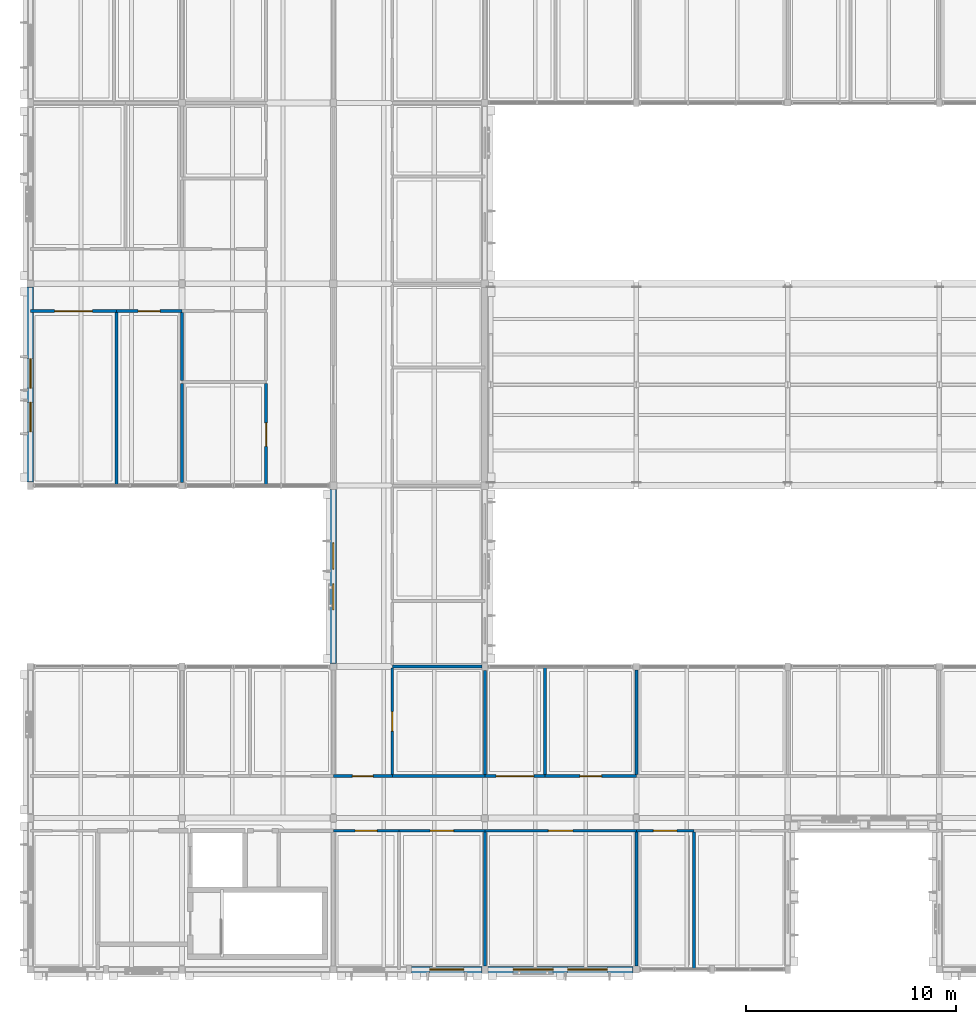
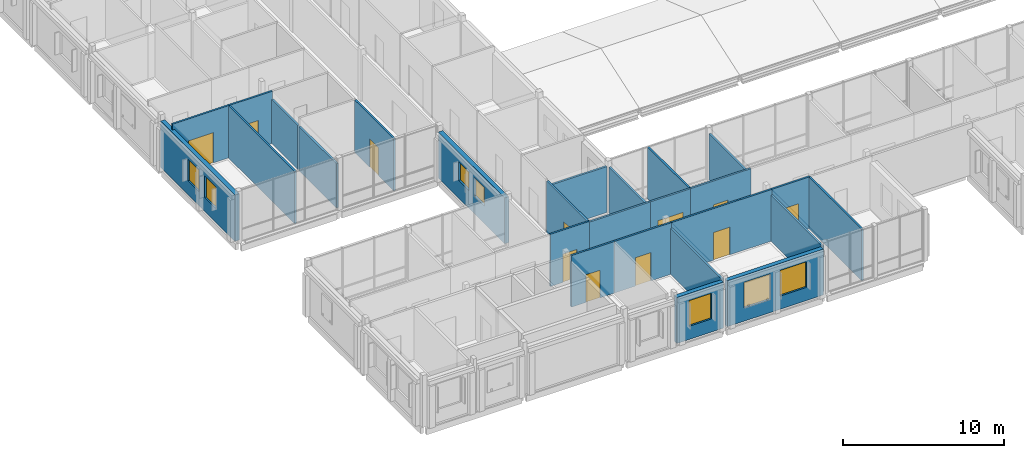
# One storey, part 82 of 115: 26 walls, 11 doors, 7 windows, 18 openings.
"""IFC4 building model written with IfcOpenShell, lengths in metres."""

from ifc_helpers import new_model, si_unit, direction, frame, frame_2d, origin, place, context, subcontext, project, spatial, rectangle, extrude, material, layer, layer_set, type_object, element, fill, save


model = new_model("IFC4")

# Units and contexts
model_context = context("Model", 3, precision=1e-05, world=origin(), true_north=direction((0.0, 1.0)))
body_context = subcontext(model_context, "Body", "Model", "MODEL_VIEW")
ifc_project = project(units=[si_unit("LENGTHUNIT", "METRE"), si_unit("AREAUNIT", "SQUARE_METRE"), si_unit("VOLUMEUNIT", "CUBIC_METRE"), si_unit("PLANEANGLEUNIT", "RADIAN"), si_unit("MASSUNIT", "GRAM", prefix="KILO")], contexts=[model_context])

# Site, building, storey
site_placement = place(None, origin())
site = spatial("IfcSite", under=ifc_project, at=site_placement, CompositionType="ELEMENT")
building_placement = place(site_placement, origin())
building = spatial("IfcBuilding", under=site, at=building_placement, Name="Hawrajan Terrace Health Centre", CompositionType="ELEMENT")
storey_placement = place(building_placement, frame((0.0, 0.0, 9.0)))
storey = spatial("IfcBuildingStorey", under=building, at=storey_placement, Name="L02", CompositionType="ELEMENT", Elevation=9.0)

# Wall, openings, windows
ifc_material_1 = material(Name="Precast concrete C40/50", Category="concrete")
ifc_layer_1 = layer(ifc_material_1, 0.31005859375)
ifc_layer_set_1 = layer_set([ifc_layer_1], Name="Precast concrete C40/50")
wall_type_1 = type_object("IfcWallType", Name="ArtDecoFacadeWall_310", PredefinedType="SOLIDWALL", material=ifc_layer_set_1)
wall_1_placement = place(storey_placement, frame((4.60009765625, 27.3798828125, 0.0), z_axis=(0.0, 0.0, 1.0), x_axis=(0.0, 1.0, 0.0)))
wall_1 = element("IfcWall", 1, at=wall_1_placement, inside=storey, type_object=wall_type_1, Name="Exterior wall EW-L02-V00-03-1", PredefinedType="SOLIDWALL", context=body_context, shape_type="SweptSolid", body=[
    extrude(rectangle(XDim=9.260009765625, YDim=0.31005859375, at=frame_2d((4.6298828125, 0.0))), origin(), (0.0, 0.0, 1.0), 3.530029296875),
])
opening_1_placement = place(wall_1_placement, frame((2.3798828125, 0.0, 1.050048828125)))
opening_1 = element("IfcOpeningElement", 2, at=opening_1_placement, cuts=wall_1, Name="Opening W-L02-115", PredefinedType="OPENING", context=body_context, shape_type="SweptSolid", body=[
    extrude(rectangle(XDim=1.39990234375, YDim=1.64990234375, at=frame_2d((0.699951171875, 0.824951171875))), frame((0.0, 0.1650390625, 0.0), z_axis=(0.0, -1.0, 0.0), x_axis=(1.0, 0.0, 0.0)), (0.0, 0.0, 1.0), 0.330078125),
])
opening_2_placement = place(wall_1_placement, frame((4.4599609375, 0.0, 1.050048828125)))
opening_2 = element("IfcOpeningElement", 3, at=opening_2_placement, cuts=wall_1, Name="Opening W-L02-116", PredefinedType="OPENING", context=body_context, shape_type="SweptSolid", body=[
    extrude(rectangle(XDim=1.39990234375, YDim=1.64990234375, at=frame_2d((0.699951171875, 0.824951171875))), frame((0.0, 0.1650390625, 0.0), z_axis=(0.0, -1.0, 0.0), x_axis=(1.0, 0.0, 0.0)), (0.0, 0.0, 1.0), 0.330078125),
])
ifc_material_2 = material(Name="Anodized bronze frame with double low-E glazing", Category="glass")
window_type_1 = type_object("IfcWindowType", Name="FacadeWindow_1400x1650", PartitioningType="SINGLE_PANEL", PredefinedType="WINDOW", material=ifc_material_2)
window_1_placement = place(opening_1_placement, origin())
window_1 = element("IfcWindow", 4, at=window_1_placement, inside=storey, type_object=window_type_1, Name="Window W-L02-115", OverallHeight=1.64990234375, OverallWidth=1.39990234375, PartitioningType="SINGLE_PANEL", PredefinedType="WINDOW", context=body_context, shape_type="SweptSolid", body=[
    extrude(rectangle(XDim=1.39990234375, YDim=1.64990234375, at=frame_2d((0.699951171875, 0.824951171875))), frame((0.0, 0.030029296875, 0.0), z_axis=(0.0, -1.0, 0.0), x_axis=(1.0, 0.0, 0.0)), (0.0, 0.0, 1.0), 0.06005859375),
])
fill(opening_1, window_1)
window_2_placement = place(opening_2_placement, origin())
window_2 = element("IfcWindow", 5, at=window_2_placement, inside=storey, type_object=window_type_1, Name="Window W-L02-116", OverallHeight=1.64990234375, OverallWidth=1.39990234375, PartitioningType="SINGLE_PANEL", PredefinedType="WINDOW", context=body_context, shape_type="SweptSolid", body=[
    extrude(rectangle(XDim=1.39990234375, YDim=1.64990234375, at=frame_2d((0.699951171875, 0.824951171875))), frame((0.0, 0.030029296875, 0.0), z_axis=(0.0, -1.0, 0.0), x_axis=(1.0, 0.0, 0.0)), (0.0, 0.0, 1.0), 0.06005859375),
])
fill(opening_2, window_2)

# Wall, opening, window
wall_2_placement = place(storey_placement, frame((22.719970703125, 4.199951171875, 0.0), z_axis=(0.0, 0.0, 1.0), x_axis=(1.0, 0.0, 0.0)))
wall_2 = element("IfcWall", 6, at=wall_2_placement, inside=storey, type_object=wall_type_1, Name="Exterior wall EW-L02-H02-00-2", PredefinedType="SOLIDWALL", context=body_context, shape_type="SweptSolid", body=[
    extrude(rectangle(XDim=3.340087890625, YDim=0.31005859375, at=frame_2d((1.669921875, 0.0))), origin(), (0.0, 0.0, 1.0), 3.489990234375),
])
opening_3_placement = place(wall_2_placement, frame((0.860107421875, 0.0, 1.0)))
opening_3 = element("IfcOpeningElement", 7, at=opening_3_placement, cuts=wall_2, Name="Opening W-L02-125", PredefinedType="OPENING", context=body_context, shape_type="SweptSolid", body=[
    extrude(rectangle(XDim=1.6201171875, YDim=1.949951171875, at=frame_2d((0.81005859375, 0.97509765625))), frame((0.0, 0.1650390625, 0.0), z_axis=(0.0, -1.0, 0.0), x_axis=(1.0, 0.0, 0.0)), (0.0, 0.0, 1.0), 0.330078125),
])
window_type_2 = type_object("IfcWindowType", Name="FacadeWindow_1620x1950", PartitioningType="DOUBLE_PANEL_VERTICAL", PredefinedType="WINDOW", material=ifc_material_2)
window_3_placement = place(opening_3_placement, origin())
window_3 = element("IfcWindow", 8, at=window_3_placement, inside=storey, type_object=window_type_2, Name="Window W-L02-125", OverallHeight=1.949951171875, OverallWidth=1.6201171875, PartitioningType="DOUBLE_PANEL_VERTICAL", PredefinedType="WINDOW", context=body_context, shape_type="SweptSolid", body=[
    extrude(rectangle(XDim=1.6201171875, YDim=1.949951171875, at=frame_2d((0.81005859375, 0.97509765625))), frame((0.0, 0.030029296875, 0.0), z_axis=(0.0, -1.0, 0.0), x_axis=(1.0, 0.0, 0.0)), (0.0, 0.0, 1.0), 0.06005859375),
])
fill(opening_3, window_3)

# Wall, openings, windows
wall_3_placement = place(storey_placement, frame((19.0, 18.760009765625, 0.0), z_axis=(0.0, 0.0, 1.0), x_axis=(0.0, 1.0, 0.0)))
wall_3 = element("IfcWall", 9, at=wall_3_placement, inside=storey, type_object=wall_type_1, Name="Exterior wall EW-L02-V02-02-1", PredefinedType="SOLIDWALL", context=body_context, shape_type="SweptSolid", body=[
    extrude(rectangle(XDim=8.260009765625, YDim=0.31005859375, at=frame_2d((4.1298828125, 0.0))), origin(), (0.0, 0.0, 1.0), 3.489990234375),
])
opening_4_placement = place(wall_3_placement, frame((2.5400390625, 0.0, 1.35009765625)))
opening_4 = element("IfcOpeningElement", 10, at=opening_4_placement, cuts=wall_3, Name="Opening W-L02-126", PredefinedType="OPENING", context=body_context, shape_type="SweptSolid", body=[
    extrude(rectangle(XDim=1.25, YDim=1.39990234375, at=frame_2d((0.625, 0.699951171875))), frame((0.0, 0.1650390625, 0.0), z_axis=(0.0, -1.0, 0.0), x_axis=(1.0, 0.0, 0.0)), (0.0, 0.0, 1.0), 0.330078125),
])
opening_5_placement = place(wall_3_placement, frame((4.469970703125, 0.0, 1.35009765625)))
opening_5 = element("IfcOpeningElement", 11, at=opening_5_placement, cuts=wall_3, Name="Opening W-L02-127", PredefinedType="OPENING", context=body_context, shape_type="SweptSolid", body=[
    extrude(rectangle(XDim=1.25, YDim=1.39990234375, at=frame_2d((0.625, 0.699951171875))), frame((0.0, 0.1650390625, 0.0), z_axis=(0.0, -1.0, 0.0), x_axis=(1.0, 0.0, 0.0)), (0.0, 0.0, 1.0), 0.330078125),
])
window_type_3 = type_object("IfcWindowType", Name="FacadeWindow_1250x1400", PartitioningType="SINGLE_PANEL", PredefinedType="WINDOW", material=ifc_material_2)
window_4_placement = place(opening_4_placement, origin())
window_4 = element("IfcWindow", 12, at=window_4_placement, inside=storey, type_object=window_type_3, Name="Window W-L02-126", OverallHeight=1.39990234375, OverallWidth=1.25, PartitioningType="SINGLE_PANEL", PredefinedType="WINDOW", context=body_context, shape_type="SweptSolid", body=[
    extrude(rectangle(XDim=1.25, YDim=1.39990234375, at=frame_2d((0.625, 0.699951171875))), frame((0.0, 0.030029296875, 0.0), z_axis=(0.0, -1.0, 0.0), x_axis=(1.0, 0.0, 0.0)), (0.0, 0.0, 1.0), 0.06005859375),
])
fill(opening_4, window_4)
window_5_placement = place(opening_5_placement, origin())
window_5 = element("IfcWindow", 13, at=window_5_placement, inside=storey, type_object=window_type_3, Name="Window W-L02-127", OverallHeight=1.39990234375, OverallWidth=1.25, PartitioningType="SINGLE_PANEL", PredefinedType="WINDOW", context=body_context, shape_type="SweptSolid", body=[
    extrude(rectangle(XDim=1.25, YDim=1.39990234375, at=frame_2d((0.625, 0.699951171875))), frame((0.0, 0.030029296875, 0.0), z_axis=(0.0, -1.0, 0.0), x_axis=(1.0, 0.0, 0.0)), (0.0, 0.0, 1.0), 0.06005859375),
])
fill(opening_5, window_5)

wall_4_placement = place(storey_placement, frame((26.340087890625, 4.199951171875, 0.0), z_axis=(0.0, 0.0, 1.0), x_axis=(1.0, 0.0, 0.0)))
wall_4 = element("IfcWall", 14, at=wall_4_placement, inside=storey, type_object=wall_type_1, Name="Exterior wall EW-L02-H03-00-1", PredefinedType="SOLIDWALL", context=body_context, shape_type="SweptSolid", body=[
    extrude(rectangle(XDim=6.89990234375, YDim=0.31005859375, at=frame_2d((3.449951171875, 0.0))), origin(), (0.0, 0.0, 1.0), 3.489990234375),
])
opening_6_placement = place(wall_4_placement, frame((1.2099609375, 0.0, 1.0)))
opening_6 = element("IfcOpeningElement", 15, at=opening_6_placement, cuts=wall_4, Name="Opening W-L02-135", PredefinedType="OPENING", context=body_context, shape_type="SweptSolid", body=[
    extrude(rectangle(XDim=1.89990234375, YDim=1.949951171875, at=frame_2d((0.949951171875, 0.97509765625))), frame((0.0, 0.1650390625, 0.0), z_axis=(0.0, -1.0, 0.0), x_axis=(1.0, 0.0, 0.0)), (0.0, 0.0, 1.0), 0.330078125),
])
opening_7_placement = place(wall_4_placement, frame((3.7900390625, 0.0, 1.0)))
opening_7 = element("IfcOpeningElement", 16, at=opening_7_placement, cuts=wall_4, Name="Opening W-L02-136", PredefinedType="OPENING", context=body_context, shape_type="SweptSolid", body=[
    extrude(rectangle(XDim=1.89990234375, YDim=1.949951171875, at=frame_2d((0.949951171875, 0.97509765625))), frame((0.0, 0.1650390625, 0.0), z_axis=(0.0, -1.0, 0.0), x_axis=(1.0, 0.0, 0.0)), (0.0, 0.0, 1.0), 0.330078125),
])
window_type_4 = type_object("IfcWindowType", Name="FacadeWindow_1900x1950", PartitioningType="DOUBLE_PANEL_VERTICAL", PredefinedType="WINDOW", material=ifc_material_2)
window_6_placement = place(opening_6_placement, origin())
window_6 = element("IfcWindow", 17, at=window_6_placement, inside=storey, type_object=window_type_4, Name="Window W-L02-135", OverallHeight=1.949951171875, OverallWidth=1.89990234375, PartitioningType="DOUBLE_PANEL_VERTICAL", PredefinedType="WINDOW", context=body_context, shape_type="SweptSolid", body=[
    extrude(rectangle(XDim=1.89990234375, YDim=1.949951171875, at=frame_2d((0.949951171875, 0.97509765625))), frame((0.0, 0.030029296875, 0.0), z_axis=(0.0, -1.0, 0.0), x_axis=(1.0, 0.0, 0.0)), (0.0, 0.0, 1.0), 0.06005859375),
])
fill(opening_6, window_6)
window_7_placement = place(opening_7_placement, origin())
window_7 = element("IfcWindow", 18, at=window_7_placement, inside=storey, type_object=window_type_4, Name="Window W-L02-136", OverallHeight=1.949951171875, OverallWidth=1.89990234375, PartitioningType="DOUBLE_PANEL_VERTICAL", PredefinedType="WINDOW", context=body_context, shape_type="SweptSolid", body=[
    extrude(rectangle(XDim=1.89990234375, YDim=1.949951171875, at=frame_2d((0.949951171875, 0.97509765625))), frame((0.0, 0.030029296875, 0.0), z_axis=(0.0, -1.0, 0.0), x_axis=(1.0, 0.0, 0.0)), (0.0, 0.0, 1.0), 0.06005859375),
])
fill(opening_7, window_7)

# Wall, opening, door
ifc_material_3 = material(Name="Gypsum board on acoustic stud framing")
ifc_layer_2 = layer(ifc_material_3, 0.139892578125)
ifc_layer_set_2 = layer_set([ifc_layer_2], Name="Gypsum board on acoustic stud framing")
wall_type_2 = type_object("IfcWallType", Name="ClinicalAcousticWall_140", PredefinedType="PARTITIONING", material=ifc_layer_set_2)
wall_5_placement = place(storey_placement, frame((4.60009765625, 35.5, 0.0), z_axis=(0.0, 0.0, 1.0), x_axis=(1.0, 0.0, 0.0)))
wall_5 = element("IfcWall", 19, at=wall_5_placement, inside=storey, type_object=wall_type_2, Name="Interior wall IW-L02-0981", PredefinedType="PARTITIONING", context=body_context, shape_type="SweptSolid", body=[
    extrude(rectangle(XDim=4.08984375, YDim=0.139892578125, at=frame_2d((2.044921875, 0.0))), origin(), (0.0, 0.0, 1.0), 3.9599609375),
])
opening_8_placement = place(wall_5_placement, frame((1.14501953125, 0.0, 0.0)))
opening_8 = element("IfcOpeningElement", 20, at=opening_8_placement, cuts=wall_5, Name="Opening D-L02-468", PredefinedType="OPENING", context=body_context, shape_type="SweptSolid", body=[
    extrude(rectangle(XDim=1.800048828125, YDim=2.300048828125, at=frame_2d((0.89990234375, 1.14990234375))), frame((0.0, 0.079833984375, 0.0), z_axis=(0.0, -1.0, 0.0), x_axis=(1.0, 0.0, 0.0)), (0.0, 0.0, 1.0), 0.159912109375),
])
ifc_material_4 = material(Name="Hardwood acoustic clinical door leaf and frame", Category="wood")
door_type_1 = type_object("IfcDoorType", Name="EducationHallDoor_1800x2300", OperationType="DOUBLE_DOOR_SINGLE_SWING", PredefinedType="DOOR", material=ifc_material_4)
door_1_placement = place(opening_8_placement, origin())
door_1 = element("IfcDoor", 21, at=door_1_placement, inside=storey, type_object=door_type_1, Name="Interior door D-L02-468", OperationType="DOUBLE_DOOR_SINGLE_SWING", OverallHeight=2.300048828125, OverallWidth=1.800048828125, PredefinedType="DOOR", context=body_context, shape_type="SweptSolid", body=[
    extrude(rectangle(XDim=1.800048828125, YDim=2.300048828125, at=frame_2d((0.89990234375, 1.14990234375))), frame((0.0, 0.02490234375, 0.0), z_axis=(0.0, -1.0, 0.0), x_axis=(1.0, 0.0, 0.0)), (0.0, 0.0, 1.0), 0.050048828125),
])
fill(opening_8, door_1)

# Wall
wall_6_placement = place(storey_placement, frame((8.68994140625, 27.199951171875, 0.0), z_axis=(0.0, 0.0, 1.0), x_axis=(0.0, 1.0, 0.0)))
element("IfcWall", 22, at=wall_6_placement, inside=storey, type_object=wall_type_2, Name="Interior wall IW-L02-0993", PredefinedType="PARTITIONING", context=body_context, shape_type="SweptSolid", body=[
    extrude(rectangle(XDim=8.22998046875, YDim=0.139892578125, at=frame_2d((4.114990234375, 0.0))), origin(), (0.0, 0.0, 1.0), 3.9599609375),
])

# Wall, opening, door
wall_7_placement = place(storey_placement, frame((8.68994140625, 35.5, 0.0), z_axis=(0.0, 0.0, 1.0), x_axis=(1.0, 0.0, 0.0)))
wall_7 = element("IfcWall", 23, at=wall_7_placement, inside=storey, type_object=wall_type_2, Name="Interior wall IW-L02-0994", PredefinedType="PARTITIONING", context=body_context, shape_type="SweptSolid", body=[
    extrude(rectangle(XDim=3.110107421875, YDim=0.139892578125, at=frame_2d((1.55517578125, 0.0))), origin(), (0.0, 0.0, 1.0), 3.9599609375),
])
opening_9_placement = place(wall_7_placement, frame((1.034912109375, 0.0, 0.0)))
opening_9 = element("IfcOpeningElement", 24, at=opening_9_placement, cuts=wall_7, Name="Opening D-L02-469", PredefinedType="OPENING", context=body_context, shape_type="SweptSolid", body=[
    extrude(rectangle(XDim=1.0400390625, YDim=2.10009765625, at=frame_2d((0.52001953125, 1.050048828125))), frame((0.0, 0.079833984375, 0.0), z_axis=(0.0, -1.0, 0.0), x_axis=(1.0, 0.0, 0.0)), (0.0, 0.0, 1.0), 0.159912109375),
])
door_type_2 = type_object("IfcDoorType", Name="ConsultDoor_1040x2100", OperationType="NOTDEFINED", PredefinedType="DOOR", material=ifc_material_4)
door_2_placement = place(opening_9_placement, origin())
door_2 = element("IfcDoor", 25, at=door_2_placement, inside=storey, type_object=door_type_2, Name="Interior door D-L02-469", OperationType="SINGLE_SWING_LEFT", OverallHeight=2.10009765625, OverallWidth=1.0400390625, PredefinedType="DOOR", context=body_context, shape_type="SweptSolid", body=[
    extrude(rectangle(XDim=1.0400390625, YDim=2.10009765625, at=frame_2d((0.52001953125, 1.050048828125))), frame((0.0, 0.02490234375, 0.0), z_axis=(0.0, -1.0, 0.0), x_axis=(1.0, 0.0, 0.0)), (0.0, 0.0, 1.0), 0.050048828125),
])
fill(opening_9, door_2)

# Walls
wall_8_placement = place(storey_placement, frame((11.800048828125, 27.360107421875, 0.0), z_axis=(0.0, 0.0, 1.0), x_axis=(0.0, 1.0, 0.0)))
element("IfcWall", 26, at=wall_8_placement, inside=storey, type_object=wall_type_2, Name="Interior wall IW-L02-1000", PredefinedType="PARTITIONING", context=body_context, shape_type="SweptSolid", body=[
    extrude(rectangle(XDim=4.69189453125, YDim=0.139892578125, at=frame_2d((2.345947265625, 0.0))), origin(), (0.0, 0.0, 1.0), 3.35009765625),
])
wall_9_placement = place(storey_placement, frame((11.800048828125, 32.19189453125, 0.0), z_axis=(0.0, 0.0, 1.0), x_axis=(0.0, 1.0, 0.0)))
element("IfcWall", 27, at=wall_9_placement, inside=storey, type_object=wall_type_2, Name="Interior wall IW-L02-1001", PredefinedType="PARTITIONING", context=body_context, shape_type="SweptSolid", body=[
    extrude(rectangle(XDim=3.238037109375, YDim=0.139892578125, at=frame_2d((1.619140625, 0.0))), origin(), (0.0, 0.0, 1.0), 3.35009765625),
])

# Wall, opening, door
wall_10_placement = place(storey_placement, frame((15.800048828125, 27.199951171875, 0.0), z_axis=(0.0, 0.0, 1.0), x_axis=(0.0, 1.0, 0.0)))
wall_10 = element("IfcWall", 28, at=wall_10_placement, inside=storey, type_object=wall_type_2, Name="Interior wall IW-L02-1015", PredefinedType="PARTITIONING", context=body_context, shape_type="SweptSolid", body=[
    extrude(rectangle(XDim=4.85205078125, YDim=0.139892578125, at=frame_2d((2.426025390625, 0.0))), origin(), (0.0, 0.0, 1.0), 3.9599609375),
])
opening_10_placement = place(wall_10_placement, frame((1.865966796875, 0.0, 0.0)))
opening_10 = element("IfcOpeningElement", 29, at=opening_10_placement, cuts=wall_10, Name="Opening D-L02-475", PredefinedType="OPENING", context=body_context, shape_type="SweptSolid", body=[
    extrude(rectangle(XDim=1.1201171875, YDim=2.14990234375, at=frame_2d((0.56005859375, 1.074951171875))), frame((0.0, 0.079833984375, 0.0), z_axis=(0.0, -1.0, 0.0), x_axis=(1.0, 0.0, 0.0)), (0.0, 0.0, 1.0), 0.159912109375),
])
door_type_3 = type_object("IfcDoorType", Name="DentalSurgeryDoor_1120x2150", OperationType="NOTDEFINED", PredefinedType="DOOR", material=ifc_material_4)
door_3_placement = place(opening_10_placement, origin())
door_3 = element("IfcDoor", 30, at=door_3_placement, inside=storey, type_object=door_type_3, Name="Interior door D-L02-475", OperationType="SINGLE_SWING_LEFT", OverallHeight=2.14990234375, OverallWidth=1.1201171875, PredefinedType="DOOR", context=body_context, shape_type="SweptSolid", body=[
    extrude(rectangle(XDim=1.1201171875, YDim=2.14990234375, at=frame_2d((0.56005859375, 1.074951171875))), frame((0.0, 0.02490234375, 0.0), z_axis=(0.0, -1.0, 0.0), x_axis=(1.0, 0.0, 0.0)), (0.0, 0.0, 1.0), 0.050048828125),
])
fill(opening_10, door_3)

wall_11_placement = place(storey_placement, frame((19.0, 10.800048828125, 0.0), z_axis=(0.0, 0.0, 1.0), x_axis=(1.0, 0.0, 0.0)))
wall_11 = element("IfcWall", 31, at=wall_11_placement, inside=storey, type_object=wall_type_2, Name="Interior wall IW-L02-1022", PredefinedType="PARTITIONING", context=body_context, shape_type="SweptSolid", body=[
    extrude(rectangle(XDim=3.110107421875, YDim=0.139892578125, at=frame_2d((1.55517578125, 0.0))), origin(), (0.0, 0.0, 1.0), 3.909912109375),
])
opening_11_placement = place(wall_11_placement, frame((1.034912109375, 0.0, 0.0)))
opening_11 = element("IfcOpeningElement", 32, at=opening_11_placement, cuts=wall_11, Name="Opening D-L02-534", PredefinedType="OPENING", context=body_context, shape_type="SweptSolid", body=[
    extrude(rectangle(XDim=1.0400390625, YDim=2.10009765625, at=frame_2d((0.52001953125, 1.050048828125))), frame((0.0, 0.079833984375, 0.0), z_axis=(0.0, -1.0, 0.0), x_axis=(1.0, 0.0, 0.0)), (0.0, 0.0, 1.0), 0.159912109375),
])
door_4_placement = place(opening_11_placement, origin())
door_4 = element("IfcDoor", 33, at=door_4_placement, inside=storey, type_object=door_type_2, Name="Interior door D-L02-534", OperationType="SINGLE_SWING_RIGHT", OverallHeight=2.10009765625, OverallWidth=1.0400390625, PredefinedType="DOOR", context=body_context, shape_type="SweptSolid", body=[
    extrude(rectangle(XDim=1.0400390625, YDim=2.10009765625, at=frame_2d((0.52001953125, 1.050048828125))), frame((0.0, 0.02490234375, 0.0), z_axis=(0.0, -1.0, 0.0), x_axis=(1.0, 0.0, 0.0)), (0.0, 0.0, 1.0), 0.050048828125),
])
fill(opening_11, door_4)

wall_12_placement = place(storey_placement, frame((19.0, 13.39990234375, 0.0), z_axis=(0.0, 0.0, 1.0), x_axis=(1.0, 0.0, 0.0)))
wall_12 = element("IfcWall", 34, at=wall_12_placement, inside=storey, type_object=wall_type_2, Name="Interior wall IW-L02-1024", PredefinedType="PARTITIONING", context=body_context, shape_type="SweptSolid", body=[
    extrude(rectangle(XDim=2.800048828125, YDim=0.139892578125, at=frame_2d((1.39990234375, 0.0))), origin(), (0.0, 0.0, 1.0), 3.9599609375),
])
opening_12_placement = place(wall_12_placement, frame((0.909912109375, 0.0, 0.0)))
opening_12 = element("IfcOpeningElement", 35, at=opening_12_placement, cuts=wall_12, Name="Opening D-L02-449", PredefinedType="OPENING", context=body_context, shape_type="SweptSolid", body=[
    extrude(rectangle(XDim=0.97998046875, YDim=2.14990234375, at=frame_2d((0.489990234375, 1.074951171875))), frame((0.0, 0.079833984375, 0.0), z_axis=(0.0, -1.0, 0.0), x_axis=(1.0, 0.0, 0.0)), (0.0, 0.0, 1.0), 0.159912109375),
])
door_type_4 = type_object("IfcDoorType", Name="ConsultDoor_980x2150", OperationType="NOTDEFINED", PredefinedType="DOOR", material=ifc_material_4)
door_5_placement = place(opening_12_placement, origin())
door_5 = element("IfcDoor", 36, at=door_5_placement, inside=storey, type_object=door_type_4, Name="Interior door D-L02-449", OperationType="SINGLE_SWING_LEFT", OverallHeight=2.14990234375, OverallWidth=0.97998046875, PredefinedType="DOOR", context=body_context, shape_type="SweptSolid", body=[
    extrude(rectangle(XDim=0.97998046875, YDim=2.14990234375, at=frame_2d((0.489990234375, 1.074951171875))), frame((0.0, 0.02490234375, 0.0), z_axis=(0.0, -1.0, 0.0), x_axis=(1.0, 0.0, 0.0)), (0.0, 0.0, 1.0), 0.050048828125),
])
fill(opening_12, door_5)

wall_13_placement = place(storey_placement, frame((21.800048828125, 13.469970703125, 0.0), z_axis=(0.0, 0.0, 1.0), x_axis=(0.0, 1.0, 0.0)))
wall_13 = element("IfcWall", 37, at=wall_13_placement, inside=storey, type_object=wall_type_2, Name="Interior wall IW-L02-1030", PredefinedType="PARTITIONING", context=body_context, shape_type="SweptSolid", body=[
    extrude(rectangle(XDim=5.06005859375, YDim=0.139892578125, at=frame_2d((2.530029296875, 0.0))), origin(), (0.0, 0.0, 1.0), 3.909912109375),
])
opening_13_placement = place(wall_13_placement, frame((2.070068359375, 0.0, 0.0)))
opening_13 = element("IfcOpeningElement", 38, at=opening_13_placement, cuts=wall_13, Name="Opening D-L02-536", PredefinedType="OPENING", context=body_context, shape_type="SweptSolid", body=[
    extrude(rectangle(XDim=0.919921875, YDim=2.10009765625, at=frame_2d((0.4599609375, 1.050048828125))), frame((0.0, 0.079833984375, 0.0), z_axis=(0.0, -1.0, 0.0), x_axis=(1.0, 0.0, 0.0)), (0.0, 0.0, 1.0), 0.159912109375),
])
door_type_5 = type_object("IfcDoorType", Name="StaffOfficeDoor_920x2100", OperationType="NOTDEFINED", PredefinedType="DOOR", material=ifc_material_4)
door_6_placement = place(opening_13_placement, origin())
door_6 = element("IfcDoor", 39, at=door_6_placement, inside=storey, type_object=door_type_5, Name="Interior door D-L02-536", OperationType="SINGLE_SWING_RIGHT", OverallHeight=2.10009765625, OverallWidth=0.919921875, PredefinedType="DOOR", context=body_context, shape_type="SweptSolid", body=[
    extrude(rectangle(XDim=0.919921875, YDim=2.10009765625, at=frame_2d((0.4599609375, 1.050048828125))), frame((0.0, 0.02490234375, 0.0), z_axis=(0.0, -1.0, 0.0), x_axis=(1.0, 0.0, 0.0)), (0.0, 0.0, 1.0), 0.050048828125),
])
fill(opening_13, door_6)

# Walls
wall_14_placement = place(storey_placement, frame((21.800048828125, 13.39990234375, 0.0), z_axis=(0.0, 0.0, 1.0), x_axis=(1.0, 0.0, 0.0)))
element("IfcWall", 40, at=wall_14_placement, inside=storey, type_object=wall_type_2, Name="Interior wall IW-L02-1031", PredefinedType="PARTITIONING", context=body_context, shape_type="SweptSolid", body=[
    extrude(rectangle(XDim=4.39990234375, YDim=0.139892578125, at=frame_2d((2.199951171875, 0.0))), origin(), (0.0, 0.0, 1.0), 3.909912109375),
])
wall_15_placement = place(storey_placement, frame((21.800048828125, 18.60009765625, 0.0), z_axis=(0.0, 0.0, 1.0), x_axis=(1.0, 0.0, 0.0)))
element("IfcWall", 41, at=wall_15_placement, inside=storey, type_object=wall_type_2, Name="Interior wall IW-L02-1033", PredefinedType="PARTITIONING", context=body_context, shape_type="SweptSolid", body=[
    extrude(rectangle(XDim=4.260009765625, YDim=0.139892578125, at=frame_2d((2.1298828125, 0.0))), origin(), (0.0, 0.0, 1.0), 3.489990234375),
])

# Wall, opening, door
wall_16_placement = place(storey_placement, frame((22.110107421875, 10.800048828125, 0.0), z_axis=(0.0, 0.0, 1.0), x_axis=(1.0, 0.0, 0.0)))
wall_16 = element("IfcWall", 42, at=wall_16_placement, inside=storey, type_object=wall_type_2, Name="Interior wall IW-L02-1049", PredefinedType="PARTITIONING", context=body_context, shape_type="SweptSolid", body=[
    extrude(rectangle(XDim=4.08984375, YDim=0.139892578125, at=frame_2d((2.044921875, 0.0))), origin(), (0.0, 0.0, 1.0), 3.909912109375),
])
opening_14_placement = place(wall_16_placement, frame((1.485107421875, 0.0, 0.0)))
opening_14 = element("IfcOpeningElement", 43, at=opening_14_placement, cuts=wall_16, Name="Opening D-L02-535", PredefinedType="OPENING", context=body_context, shape_type="SweptSolid", body=[
    extrude(rectangle(XDim=1.1201171875, YDim=2.14990234375, at=frame_2d((0.56005859375, 1.074951171875))), frame((0.0, 0.079833984375, 0.0), z_axis=(0.0, -1.0, 0.0), x_axis=(1.0, 0.0, 0.0)), (0.0, 0.0, 1.0), 0.159912109375),
])
door_7_placement = place(opening_14_placement, origin())
door_7 = element("IfcDoor", 44, at=door_7_placement, inside=storey, type_object=door_type_3, Name="Interior door D-L02-535", OperationType="SINGLE_SWING_LEFT", OverallHeight=2.14990234375, OverallWidth=1.1201171875, PredefinedType="DOOR", context=body_context, shape_type="SweptSolid", body=[
    extrude(rectangle(XDim=1.1201171875, YDim=2.14990234375, at=frame_2d((0.56005859375, 1.074951171875))), frame((0.0, 0.02490234375, 0.0), z_axis=(0.0, -1.0, 0.0), x_axis=(1.0, 0.0, 0.0)), (0.0, 0.0, 1.0), 0.050048828125),
])
fill(opening_14, door_7)

# Wall
wall_17_placement = place(storey_placement, frame((26.199951171875, 4.3798828125, 0.0), z_axis=(0.0, 0.0, 1.0), x_axis=(0.0, 1.0, 0.0)))
element("IfcWall", 45, at=wall_17_placement, inside=storey, type_object=wall_type_2, Name="Interior wall IW-L02-1050", PredefinedType="PARTITIONING", context=body_context, shape_type="SweptSolid", body=[
    extrude(rectangle(XDim=6.35009765625, YDim=0.139892578125, at=frame_2d((3.175048828125, 0.0))), origin(), (0.0, 0.0, 1.0), 3.489990234375),
])

# Wall, opening, door
wall_18_placement = place(storey_placement, frame((26.199951171875, 10.800048828125, 0.0), z_axis=(0.0, 0.0, 1.0), x_axis=(1.0, 0.0, 0.0)))
wall_18 = element("IfcWall", 46, at=wall_18_placement, inside=storey, type_object=wall_type_2, Name="Interior wall IW-L02-1051", PredefinedType="PARTITIONING", context=body_context, shape_type="SweptSolid", body=[
    extrude(rectangle(XDim=7.199951171875, YDim=0.139892578125, at=frame_2d((3.60009765625, 0.0))), origin(), (0.0, 0.0, 1.0), 3.909912109375),
])
opening_15_placement = place(wall_18_placement, frame((3.02001953125, 0.0, 0.0)))
opening_15 = element("IfcOpeningElement", 47, at=opening_15_placement, cuts=wall_18, Name="Opening D-L02-537", PredefinedType="OPENING", context=body_context, shape_type="SweptSolid", body=[
    extrude(rectangle(XDim=1.159912109375, YDim=2.10009765625, at=frame_2d((0.580078125, 1.050048828125))), frame((0.0, 0.079833984375, 0.0), z_axis=(0.0, -1.0, 0.0), x_axis=(1.0, 0.0, 0.0)), (0.0, 0.0, 1.0), 0.159912109375),
])
door_type_6 = type_object("IfcDoorType", Name="ConsultDoor_1160x2100", OperationType="NOTDEFINED", PredefinedType="DOOR", material=ifc_material_4)
door_8_placement = place(opening_15_placement, origin())
door_8 = element("IfcDoor", 48, at=door_8_placement, inside=storey, type_object=door_type_6, Name="Interior door D-L02-537", OperationType="SINGLE_SWING_LEFT", OverallHeight=2.10009765625, OverallWidth=1.159912109375, PredefinedType="DOOR", context=body_context, shape_type="SweptSolid", body=[
    extrude(rectangle(XDim=1.159912109375, YDim=2.10009765625, at=frame_2d((0.580078125, 1.050048828125))), frame((0.0, 0.02490234375, 0.0), z_axis=(0.0, -1.0, 0.0), x_axis=(1.0, 0.0, 0.0)), (0.0, 0.0, 1.0), 0.050048828125),
])
fill(opening_15, door_8)

# Wall
wall_19_placement = place(storey_placement, frame((26.199951171875, 13.469970703125, 0.0), z_axis=(0.0, 0.0, 1.0), x_axis=(0.0, 1.0, 0.0)))
element("IfcWall", 49, at=wall_19_placement, inside=storey, type_object=wall_type_2, Name="Interior wall IW-L02-1052", PredefinedType="PARTITIONING", context=body_context, shape_type="SweptSolid", body=[
    extrude(rectangle(XDim=4.949951171875, YDim=0.139892578125, at=frame_2d((2.47509765625, 0.0))), origin(), (0.0, 0.0, 1.0), 3.489990234375),
])

# Wall, opening, door
wall_20_placement = place(storey_placement, frame((26.199951171875, 13.39990234375, 0.0), z_axis=(0.0, 0.0, 1.0), x_axis=(1.0, 0.0, 0.0)))
wall_20 = element("IfcWall", 50, at=wall_20_placement, inside=storey, type_object=wall_type_2, Name="Interior wall IW-L02-1053", PredefinedType="PARTITIONING", context=body_context, shape_type="SweptSolid", body=[
    extrude(rectangle(XDim=2.865966796875, YDim=0.139892578125, at=frame_2d((1.43310546875, 0.0))), origin(), (0.0, 0.0, 1.0), 3.909912109375),
])
opening_16_placement = place(wall_20_placement, frame((0.532958984375, 0.0, 0.0)))
opening_16 = element("IfcOpeningElement", 51, at=opening_16_placement, cuts=wall_20, Name="Opening D-L02-538", PredefinedType="OPENING", context=body_context, shape_type="SweptSolid", body=[
    extrude(rectangle(XDim=1.800048828125, YDim=2.300048828125, at=frame_2d((0.89990234375, 1.14990234375))), frame((0.0, 0.079833984375, 0.0), z_axis=(0.0, -1.0, 0.0), x_axis=(1.0, 0.0, 0.0)), (0.0, 0.0, 1.0), 0.159912109375),
])
door_9_placement = place(opening_16_placement, origin())
door_9 = element("IfcDoor", 52, at=door_9_placement, inside=storey, type_object=door_type_1, Name="Interior door D-L02-538", OperationType="DOUBLE_DOOR_SINGLE_SWING", OverallHeight=2.300048828125, OverallWidth=1.800048828125, PredefinedType="DOOR", context=body_context, shape_type="SweptSolid", body=[
    extrude(rectangle(XDim=1.800048828125, YDim=2.300048828125, at=frame_2d((0.89990234375, 1.14990234375))), frame((0.0, 0.02490234375, 0.0), z_axis=(0.0, -1.0, 0.0), x_axis=(1.0, 0.0, 0.0)), (0.0, 0.0, 1.0), 0.050048828125),
])
fill(opening_16, door_9)

# Wall
wall_21_placement = place(storey_placement, frame((29.06591796875, 13.469970703125, 0.0), z_axis=(0.0, 0.0, 1.0), x_axis=(0.0, 1.0, 0.0)))
element("IfcWall", 53, at=wall_21_placement, inside=storey, type_object=wall_type_2, Name="Interior wall IW-L02-1060", PredefinedType="PARTITIONING", context=body_context, shape_type="SweptSolid", body=[
    extrude(rectangle(XDim=5.130126953125, YDim=0.139892578125, at=frame_2d((2.56494140625, 0.0))), origin(), (0.0, 0.0, 1.0), 3.909912109375),
])

# Wall, opening, door
wall_22_placement = place(storey_placement, frame((29.06591796875, 13.39990234375, 0.0), z_axis=(0.0, 0.0, 1.0), x_axis=(1.0, 0.0, 0.0)))
wall_22 = element("IfcWall", 54, at=wall_22_placement, inside=storey, type_object=wall_type_2, Name="Interior wall IW-L02-1061", PredefinedType="PARTITIONING", context=body_context, shape_type="SweptSolid", body=[
    extrude(rectangle(XDim=4.333984375, YDim=0.139892578125, at=frame_2d((2.1669921875, 0.0))), origin(), (0.0, 0.0, 1.0), 3.909912109375),
])
opening_17_placement = place(wall_22_placement, frame((1.64697265625, 0.0, 0.0)))
opening_17 = element("IfcOpeningElement", 55, at=opening_17_placement, cuts=wall_22, Name="Opening D-L02-539", PredefinedType="OPENING", context=body_context, shape_type="SweptSolid", body=[
    extrude(rectangle(XDim=1.0400390625, YDim=2.10009765625, at=frame_2d((0.52001953125, 1.050048828125))), frame((0.0, 0.079833984375, 0.0), z_axis=(0.0, -1.0, 0.0), x_axis=(1.0, 0.0, 0.0)), (0.0, 0.0, 1.0), 0.159912109375),
])
door_10_placement = place(opening_17_placement, origin())
door_10 = element("IfcDoor", 56, at=door_10_placement, inside=storey, type_object=door_type_2, Name="Interior door D-L02-539", OperationType="SINGLE_SWING_LEFT", OverallHeight=2.10009765625, OverallWidth=1.0400390625, PredefinedType="DOOR", context=body_context, shape_type="SweptSolid", body=[
    extrude(rectangle(XDim=1.0400390625, YDim=2.10009765625, at=frame_2d((0.52001953125, 1.050048828125))), frame((0.0, 0.02490234375, 0.0), z_axis=(0.0, -1.0, 0.0), x_axis=(1.0, 0.0, 0.0)), (0.0, 0.0, 1.0), 0.050048828125),
])
fill(opening_17, door_10)

# Wall
wall_23_placement = place(storey_placement, frame((33.39990234375, 4.360107421875, 0.0), z_axis=(0.0, 0.0, 1.0), x_axis=(0.0, 1.0, 0.0)))
element("IfcWall", 57, at=wall_23_placement, inside=storey, type_object=wall_type_2, Name="Interior wall IW-L02-1064", PredefinedType="PARTITIONING", context=body_context, shape_type="SweptSolid", body=[
    extrude(rectangle(XDim=6.369873046875, YDim=0.139892578125, at=frame_2d((3.18505859375, 0.0))), origin(), (0.0, 0.0, 1.0), 3.489990234375),
])

# Wall, opening, door
wall_24_placement = place(storey_placement, frame((33.39990234375, 10.800048828125, 0.0), z_axis=(0.0, 0.0, 1.0), x_axis=(1.0, 0.0, 0.0)))
wall_24 = element("IfcWall", 58, at=wall_24_placement, inside=storey, type_object=wall_type_2, Name="Interior wall IW-L02-1065", PredefinedType="PARTITIONING", context=body_context, shape_type="SweptSolid", body=[
    extrude(rectangle(XDim=2.7431640625, YDim=0.139892578125, at=frame_2d((1.37158203125, 0.0))), origin(), (0.0, 0.0, 1.0), 3.909912109375),
])
opening_18_placement = place(wall_24_placement, frame((0.8115234375, 0.0, 0.0)))
opening_18 = element("IfcOpeningElement", 59, at=opening_18_placement, cuts=wall_24, Name="Opening D-L02-540", PredefinedType="OPENING", context=body_context, shape_type="SweptSolid", body=[
    extrude(rectangle(XDim=1.1201171875, YDim=2.14990234375, at=frame_2d((0.56005859375, 1.074951171875))), frame((0.0, 0.079833984375, 0.0), z_axis=(0.0, -1.0, 0.0), x_axis=(1.0, 0.0, 0.0)), (0.0, 0.0, 1.0), 0.159912109375),
])
door_11_placement = place(opening_18_placement, origin())
door_11 = element("IfcDoor", 60, at=door_11_placement, inside=storey, type_object=door_type_3, Name="Interior door D-L02-540", OperationType="SINGLE_SWING_RIGHT", OverallHeight=2.14990234375, OverallWidth=1.1201171875, PredefinedType="DOOR", context=body_context, shape_type="SweptSolid", body=[
    extrude(rectangle(XDim=1.1201171875, YDim=2.14990234375, at=frame_2d((0.56005859375, 1.074951171875))), frame((0.0, 0.02490234375, 0.0), z_axis=(0.0, -1.0, 0.0), x_axis=(1.0, 0.0, 0.0)), (0.0, 0.0, 1.0), 0.050048828125),
])
fill(opening_18, door_11)

# Walls
wall_25_placement = place(storey_placement, frame((33.39990234375, 13.469970703125, 0.0), z_axis=(0.0, 0.0, 1.0), x_axis=(0.0, 1.0, 0.0)))
element("IfcWall", 61, at=wall_25_placement, inside=storey, type_object=wall_type_2, Name="Interior wall IW-L02-1066", PredefinedType="PARTITIONING", context=body_context, shape_type="SweptSolid", body=[
    extrude(rectangle(XDim=4.969970703125, YDim=0.139892578125, at=frame_2d((2.48486328125, 0.0))), origin(), (0.0, 0.0, 1.0), 3.489990234375),
])
wall_26_placement = place(storey_placement, frame((36.14306640625, 4.199951171875, 0.0), z_axis=(0.0, 0.0, 1.0), x_axis=(0.0, 1.0, 0.0)))
element("IfcWall", 62, at=wall_26_placement, inside=storey, type_object=wall_type_2, Name="Interior wall IW-L02-1072", PredefinedType="PARTITIONING", context=body_context, shape_type="SweptSolid", body=[
    extrude(rectangle(XDim=6.530029296875, YDim=0.139892578125, at=frame_2d((3.26513671875, 0.0))), origin(), (0.0, 0.0, 1.0), 3.909912109375),
])

save(model, "model.ifc")
